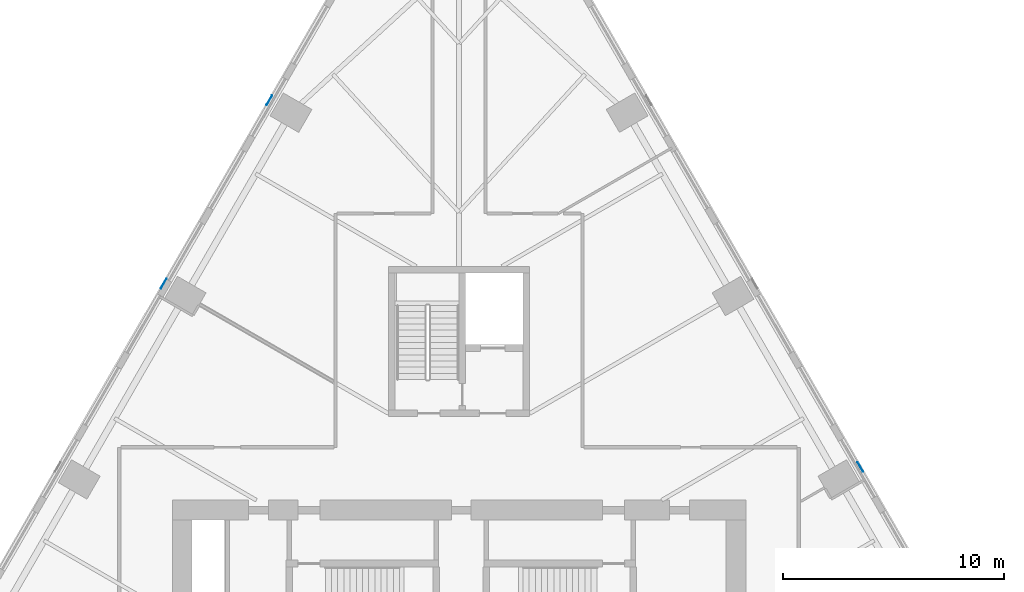
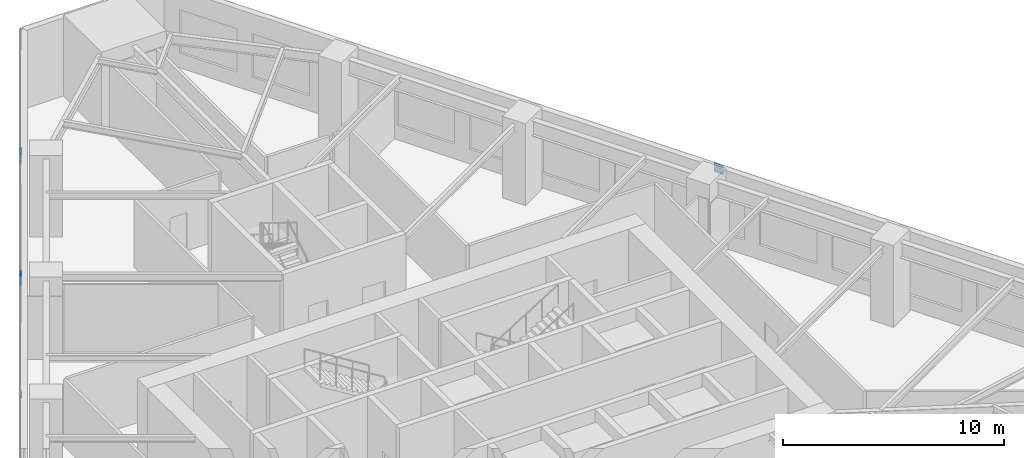
# One storey, part 10 of 14: 3 discrete accessories.
"""IFC4 building model written with IfcOpenShell, lengths in metres."""

from ifc_helpers import new_model, si_unit, direction, frame, origin, origin_2d, place, context, subcontext, project, spatial, rectangle, extrude, material, layer, layer_set, type_object, element, save


model = new_model("IFC4")

# Units and contexts
model_context = context("Model", 3, precision=1e-05, world=origin(), true_north=direction((0.0, 1.0)))
body_context = subcontext(model_context, "Body", "Model", "MODEL_VIEW")
ifc_project = project(units=[si_unit("LENGTHUNIT", "METRE"), si_unit("AREAUNIT", "SQUARE_METRE"), si_unit("VOLUMEUNIT", "CUBIC_METRE"), si_unit("PLANEANGLEUNIT", "RADIAN"), si_unit("MASSUNIT", "GRAM", prefix="KILO")], contexts=[model_context])

# Site, building, storey
site_placement = place(None, origin())
site = spatial("IfcSite", under=ifc_project, at=site_placement, CompositionType="ELEMENT")
building_placement = place(site_placement, origin())
building = spatial("IfcBuilding", under=site, at=building_placement, Name="Firuza Gate Tower and Library", CompositionType="ELEMENT")
storey_placement = place(building_placement, frame((0.0, 0.0, 35.5)))
storey = spatial("IfcBuildingStorey", under=building, at=storey_placement, Name="L07", CompositionType="ELEMENT", Elevation=35.5)

# Discrete accessories
ifc_material = material(Name="Steel S355", Category="steel")
ifc_layer = layer(ifc_material, 0.02490234375)
ifc_layer_set = layer_set([ifc_layer], Name="Cast-in anchor plate 500x500x25 Steel S355")
discrete_accessory_type = type_object("IfcDiscreteAccessoryType", Name="Cast-in anchor plate 500x500x25 Steel S355", PredefinedType="BRACKET", material=ifc_layer_set)
for number, where, z_axis, x_axis, name in (
    (1, (93.197021484375, 85.506103515625, 3.800048828125), (0.0, 0.0, 1.0), (-0.5, 0.866025403784, 0.0), "Cast-in anchor plate"),
    (2, (66.403076171875, 102.1337890625, 3.800048828125), (0.0, 0.0, 1.0), (-0.5, -0.866025403784, 0.0), "Cast-in anchor plate"),
    (3, (61.60302734375, 93.81982421875, 3.800048828125), (0.0, 0.0, 1.0), (-0.5, -0.866025403784, 0.0), "Cast-in anchor plate"),
):
    element("IfcDiscreteAccessory", number, at=place(storey_placement, frame(where, z_axis=z_axis, x_axis=x_axis)), inside=storey, type_object=discrete_accessory_type, Name=name, PredefinedType="BRACKET", context=body_context, shape_type="SweptSolid", body=[
        extrude(rectangle(XDim=0.5, YDim=0.02490234375, at=origin_2d()), origin(), (0.0, 0.0, 1.0), 0.5),
    ])

save(model, "model.ifc")
